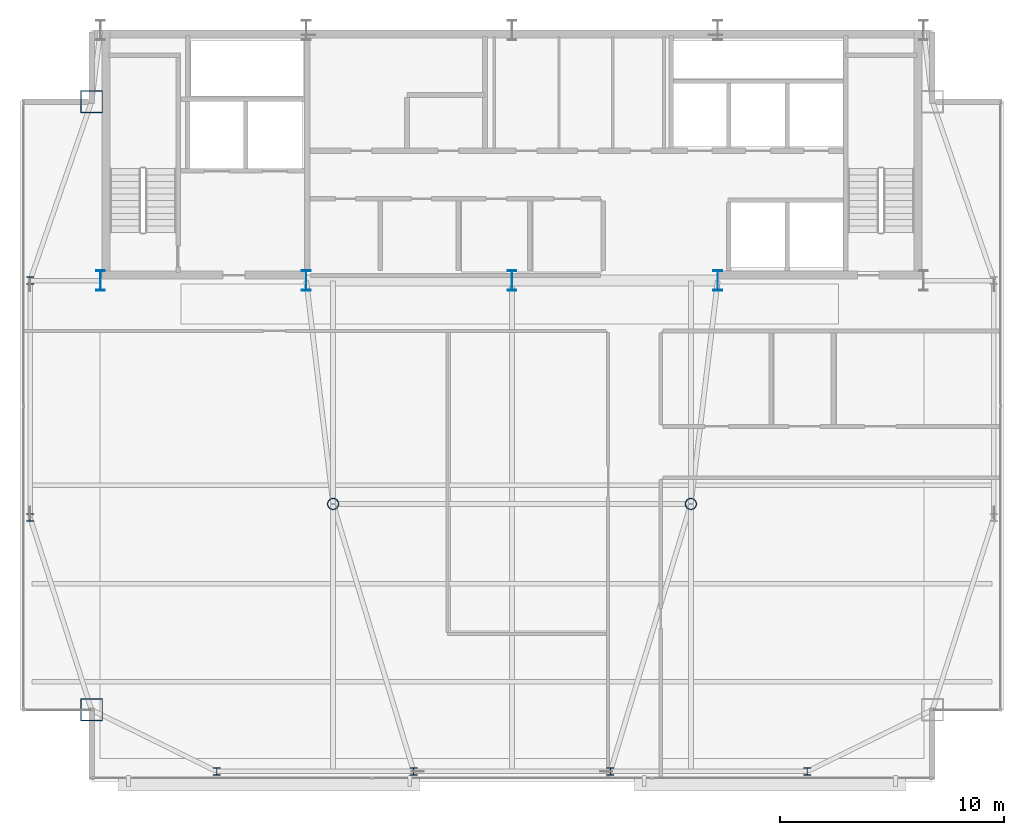
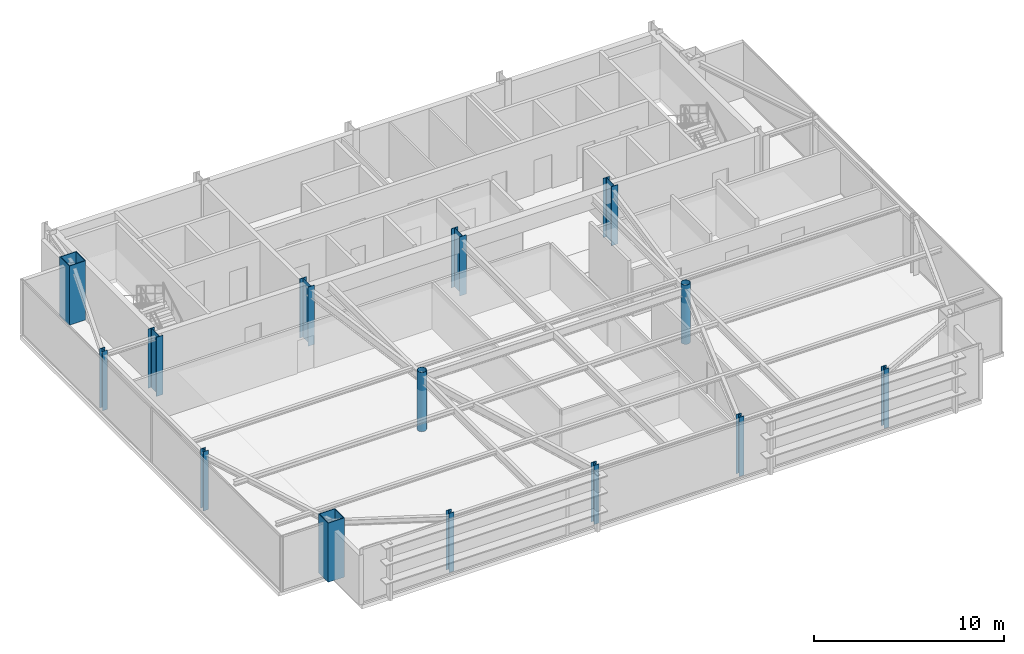
# One storey, part 1 of 24: 14 columns.
"""IFC4 building model written with IfcOpenShell, lengths in metres."""

from ifc_helpers import new_model, si_unit, direction, frame, origin, origin_2d, place, context, subcontext, project, spatial, hollow_rectangle, hollow_circle, i_section, extrude, source, transform, mapped, material, material_profile, profile_set, type_object, type_shapes, element, save


model = new_model("IFC4")

# Units and contexts
model_context = context("Model", 3, precision=1e-05, world=origin(), true_north=direction((0.0, 1.0)))
body_context = subcontext(model_context, "Body", "Model", "MODEL_VIEW")
ifc_project = project(units=[si_unit("LENGTHUNIT", "METRE"), si_unit("AREAUNIT", "SQUARE_METRE"), si_unit("VOLUMEUNIT", "CUBIC_METRE"), si_unit("PLANEANGLEUNIT", "RADIAN"), si_unit("MASSUNIT", "GRAM", prefix="KILO")], contexts=[model_context])

# Site, building, storey
site_placement = place(None, origin())
site = spatial("IfcSite", under=ifc_project, at=site_placement, CompositionType="ELEMENT")
building_placement = place(site_placement, origin())
building = spatial("IfcBuilding", under=site, at=building_placement, Name="Varnel Quay Broadcast Tower", CompositionType="ELEMENT")
storey_placement = place(building_placement, frame((0.0, 0.0, 269.800048828125)))
storey = spatial("IfcBuildingStorey", under=building, at=storey_placement, Name="L67", CompositionType="ELEMENT", Elevation=269.800048828125)

# Columns
ifc_material_1 = material(Name="Structural Steel CSA G40.21 350WT", Category="steel")
ifc_material_profile_1 = material_profile(ifc_material_1, i_section(OverallWidth=0.39990234375, OverallDepth=0.89990234375, WebThickness=0.01611328125, FlangeThickness=0.028076171875, FilletRadius=0.01611328125, at=origin_2d()), Name="WWF900X309")
ifc_profile_set_1 = profile_set([ifc_material_profile_1], Name="Structural Steel CSA G40.21 350WT")
column_type_1 = type_object("IfcColumnType", Name="Col_WWF900X309", PredefinedType="COLUMN", material=ifc_profile_set_1)
shared_shape_1 = source(origin(), body_context, "Body", "SweptSolid", [
    extrude(i_section(OverallWidth=0.39990234375, OverallDepth=0.89990234375, WebThickness=0.01611328125, FlangeThickness=0.028076171875, FilletRadius=0.01611328125, at=origin_2d()), origin(), (0.0, 0.0, 1.0), 3.800048828125),
])
type_shapes(column_type_1, [shared_shape_1])
for number, where, z_axis, x_axis, name in (
    (1, (15.60009765625, 35.60009765625, 0.0), (0.0, 0.0, 1.0), (1.0, 0.0, 0.0), "L67 Column CC-S1"),
    (2, (24.800048828125, 35.60009765625, 0.0), (0.0, 0.0, 1.0), (1.0, 0.0, 0.0), "L67 Column CC-S2"),
    (3, (34.0, 35.60009765625, 0.0), (0.0, 0.0, 1.0), (1.0, 0.0, 0.0), "L67 Column CC-S3"),
    (4, (43.199951171875, 35.60009765625, 0.0), (0.0, 0.0, 1.0), (1.0, 0.0, 0.0), "L67 Column CC-S4"),
):
    element("IfcColumn", number, at=place(storey_placement, frame(where, z_axis=z_axis, x_axis=x_axis)), inside=storey, type_object=column_type_1, Name=name, PredefinedType="COLUMN", context=body_context, shape_type="MappedRepresentation", body=[
        mapped(shared_shape_1, transform((0.0, 0.0, 0.0), x_axis=(1.0, 0.0, 0.0), y_axis=(0.0, 1.0, 0.0), z_axis=(0.0, 0.0, 1.0), scale=1.0)),
    ])
ifc_material_profile_2 = material_profile(ifc_material_1, hollow_rectangle(XDim=1.0, YDim=1.0, WallThickness=0.0400390625, at=origin_2d()), Name="BOX1000X1000X40")
ifc_profile_set_2 = profile_set([ifc_material_profile_2], Name="Structural Steel CSA G40.21 350WT")
column_type_2 = type_object("IfcColumnType", Name="Col_BOX1000X1000X40", PredefinedType="COLUMN", material=ifc_profile_set_2)
shared_shape_2 = source(origin(), body_context, "Body", "SweptSolid", [
    extrude(hollow_rectangle(XDim=1.0, YDim=1.0, WallThickness=0.0400390625, at=origin_2d()), origin(), (0.0, 0.0, 1.0), 3.800048828125),
])
type_shapes(column_type_2, [shared_shape_2])
for number, where, z_axis, x_axis, name in (
    (5, (15.199951171875, 16.39990234375, 0.0), (0.0, 0.0, 1.0), (1.0, 0.0, 0.0), "L67 Column MC-SW"),
    (6, (15.199951171875, 43.60009765625, 0.0), (0.0, 0.0, 1.0), (1.0, 0.0, 0.0), "L67 Column MC-NW"),
):
    element("IfcColumn", number, at=place(storey_placement, frame(where, z_axis=z_axis, x_axis=x_axis)), inside=storey, type_object=column_type_2, Name=name, PredefinedType="COLUMN", context=body_context, shape_type="MappedRepresentation", body=[
        mapped(shared_shape_2, transform((0.0, 0.0, 0.0), x_axis=(1.0, 0.0, 0.0), y_axis=(0.0, 1.0, 0.0), z_axis=(0.0, 0.0, 1.0), scale=1.0)),
    ])
ifc_material_2 = material(Name="Structural Steel CSA G40.21 350W", Category="steel")
ifc_material_profile_3 = material_profile(ifc_material_2, i_section(OverallWidth=0.30908203125, OverallDepth=0.322998046875, WebThickness=0.013916015625, FlangeThickness=0.02294921875, FilletRadius=0.014892578125, at=origin_2d()), Name="W310X143")
ifc_profile_set_3 = profile_set([ifc_material_profile_3], Name="Structural Steel CSA G40.21 350W")
column_type_3 = type_object("IfcColumnType", Name="Col_W310X143", PredefinedType="COLUMN", material=ifc_profile_set_3)
shared_shape_3 = source(origin(), body_context, "Body", "SweptSolid", [
    extrude(i_section(OverallWidth=0.30908203125, OverallDepth=0.322998046875, WebThickness=0.013916015625, FlangeThickness=0.02294921875, FilletRadius=0.014892578125, at=origin_2d()), origin(), (0.0, 0.0, 1.0), 3.800048828125),
])
type_shapes(column_type_3, [shared_shape_3])
for number, where, z_axis, x_axis, name in (
    (7, (20.800048828125, 13.64990234375, 0.0), (0.0, 0.0, 1.0), (1.0, 0.0, 0.0), "L67 Column TC-S1"),
    (8, (29.60009765625, 13.64990234375, 0.0), (0.0, 0.0, 1.0), (1.0, 0.0, 0.0), "L67 Column TC-S2"),
    (9, (38.39990234375, 13.64990234375, 0.0), (0.0, 0.0, 1.0), (1.0, 0.0, 0.0), "L67 Column TC-S3"),
    (10, (47.199951171875, 13.64990234375, 0.0), (0.0, 0.0, 1.0), (1.0, 0.0, 0.0), "L67 Column TC-S4"),
    (11, (12.449951171875, 25.0, 0.0), (0.0, 0.0, 1.0), (1.0, 0.0, 0.0), "L67 Column TC-W1"),
    (12, (12.449951171875, 35.60009765625, 0.0), (0.0, 0.0, 1.0), (1.0, 0.0, 0.0), "L67 Column TC-W2"),
):
    element("IfcColumn", number, at=place(storey_placement, frame(where, z_axis=z_axis, x_axis=x_axis)), inside=storey, type_object=column_type_3, Name=name, PredefinedType="COLUMN", context=body_context, shape_type="MappedRepresentation", body=[
        mapped(shared_shape_3, transform((0.0, 0.0, 0.0), x_axis=(1.0, 0.0, 0.0), y_axis=(0.0, 1.0, 0.0), z_axis=(0.0, 0.0, 1.0), scale=1.0)),
    ])
ifc_material_profile_4 = material_profile(ifc_material_2, hollow_circle(Radius=0.25390625, WallThickness=0.02001953125, at=origin_2d()), Name="CHS508X20")
ifc_profile_set_4 = profile_set([ifc_material_profile_4], Name="Structural Steel CSA G40.21 350W")
column_type_4 = type_object("IfcColumnType", Name="Col_CHS508X20", PredefinedType="COLUMN", material=ifc_profile_set_4)
shared_shape_4 = source(origin(), body_context, "Body", "SweptSolid", [
    extrude(hollow_circle(Radius=0.25390625, WallThickness=0.02001953125, at=origin_2d()), origin(), (0.0, 0.0, 1.0), 3.800048828125),
])
type_shapes(column_type_4, [shared_shape_4])
for number, where, z_axis, x_axis, name in (
    (13, (26.0, 25.610107421875, 0.0), (0.0, 0.0, 1.0), (1.0, 0.0, 0.0), "L67 Column IC-01"),
    (14, (42.0, 25.610107421875, 0.0), (0.0, 0.0, 1.0), (1.0, 0.0, 0.0), "L67 Column IC-02"),
):
    element("IfcColumn", number, at=place(storey_placement, frame(where, z_axis=z_axis, x_axis=x_axis)), inside=storey, type_object=column_type_4, Name=name, PredefinedType="COLUMN", context=body_context, shape_type="MappedRepresentation", body=[
        mapped(shared_shape_4, transform((0.0, 0.0, 0.0), x_axis=(1.0, 0.0, 0.0), y_axis=(0.0, 1.0, 0.0), z_axis=(0.0, 0.0, 1.0), scale=1.0)),
    ])

save(model, "model.ifc")
